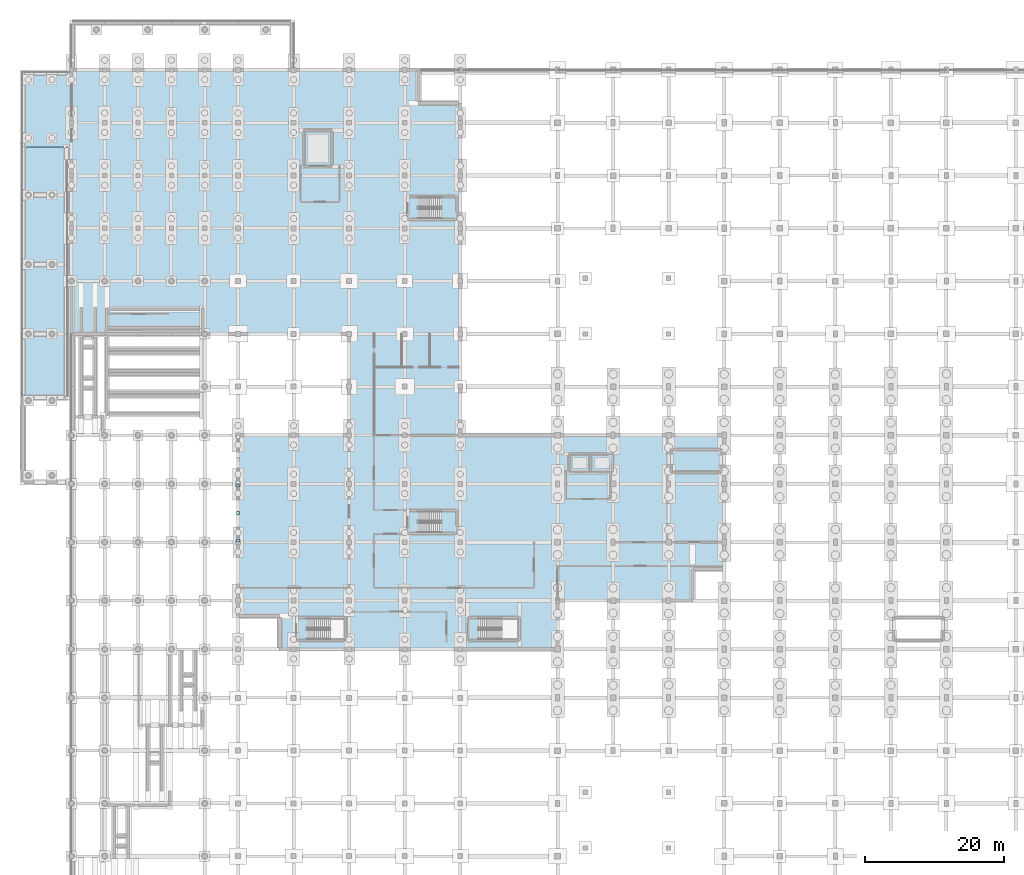
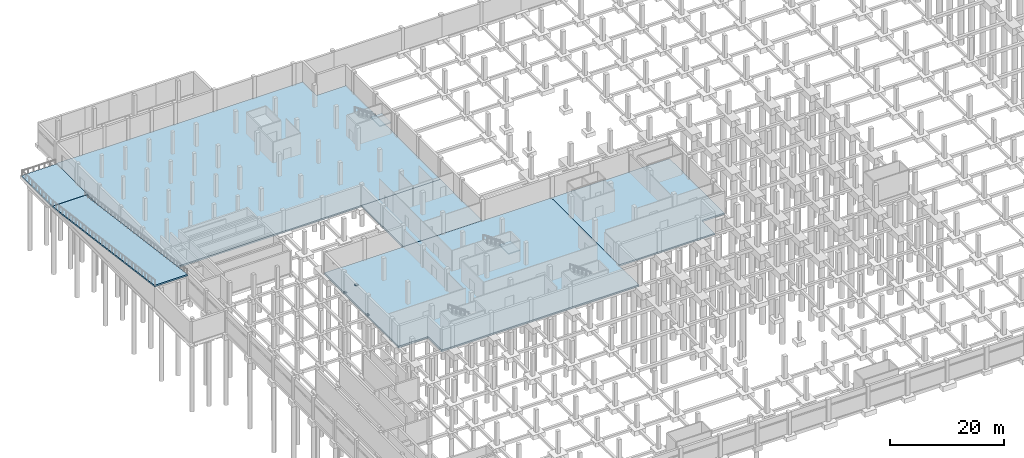
# One storey, part 31 of 50: 8 slabs, 3 plates, 2 elements without a shape of their own.
"""IFC4 building model written with IfcOpenShell, lengths in metres."""

from ifc_helpers import new_model, si_unit, direction, frame, origin, origin_2d, place, context, subcontext, project, spatial, polyline, rectangle, outline, extrude, material, layer, layer_set, type_object, element, aggregate, save


model = new_model("IFC4")

# Units and contexts
model_context = context("Model", 3, precision=1e-05, world=origin(), true_north=direction((0.0, 1.0)))
body_context = subcontext(model_context, "Body", "Model", "MODEL_VIEW")
ifc_project = project(units=[si_unit("LENGTHUNIT", "METRE"), si_unit("AREAUNIT", "SQUARE_METRE"), si_unit("VOLUMEUNIT", "CUBIC_METRE"), si_unit("PLANEANGLEUNIT", "RADIAN"), si_unit("MASSUNIT", "GRAM", prefix="KILO")], contexts=[model_context])

# Site, building, storey
site_placement = place(None, origin())
site = spatial("IfcSite", under=ifc_project, at=site_placement, CompositionType="ELEMENT")
building_placement = place(site_placement, origin())
building = spatial("IfcBuilding", under=site, at=building_placement, Name="Vekula Escarpment Museum", CompositionType="ELEMENT")
storey_placement = place(building_placement, frame((0.0, 0.0, -4.800048828125)))
storey = spatial("IfcBuildingStorey", under=building, at=storey_placement, Name="B1", CompositionType="ELEMENT", Elevation=-4.800048828125)

# Plates
ifc_material_1 = material(Name="Steel S355", Category="steel")
ifc_layer_1 = layer(ifc_material_1, 0.02392578125)
ifc_layer_set_1 = layer_set([ifc_layer_1], Name="Steel S355")
plate_type_1 = type_object("IfcPlateType", Name="PL-CAP-24", PredefinedType="SHEET", material=ifc_layer_set_1)
for number, where, z_axis, x_axis, name in (
    (1, (24.0, 68.242431640625, 0.16845703125), (0.0, 0.0, 1.0), (1.0, 0.0, 0.0), "Hollow section end cap CP-24"),
    (2, (24.0, 76.15771484375, 0.16845703125), (0.0, 0.0, 1.0), (1.0, 0.0, 0.0), "Hollow section end cap CP-24"),
):
    element("IfcPlate", number, at=place(storey_placement, frame(where, z_axis=z_axis, x_axis=x_axis)), inside=storey, type_object=plate_type_1, Name=name, PredefinedType="SHEET", context=body_context, shape_type="SweptSolid", body=[
        extrude(rectangle(XDim=0.3798828125, YDim=0.3798828125, at=origin_2d()), origin(), (0.0, 0.0, 1.0), 0.1279296875),
    ])
ifc_material_2 = material(Name="Steel S355", Category="steel")
ifc_layer_2 = layer(ifc_material_2, 0.0400390625)
ifc_layer_set_2 = layer_set([ifc_layer_2], Name="Steel S355")
plate_type_2 = type_object("IfcPlateType", Name="PL-CAP-40", PredefinedType="SHEET", material=ifc_layer_set_2)
plate_placement = place(storey_placement, frame((24.0, 72.199951171875, 4.197998046875), z_axis=(0.0, 0.0, 1.0), x_axis=(1.0, 0.0, 0.0)))
element("IfcPlate", 3, at=plate_placement, inside=storey, type_object=plate_type_2, Name="Hollow section end cap GP-40", PredefinedType="SHEET", context=body_context, shape_type="SweptSolid", body=[
    extrude(rectangle(XDim=0.4599609375, YDim=0.4599609375, at=origin_2d()), origin(), (0.0, 0.0, 1.0), 0.0400390625),
])

# Slabs
ifc_material_3 = material(Name="Concrete C35/45", Category="concrete")
ifc_layer_3 = layer(ifc_material_3, 0.35009765625)
ifc_layer_set_3 = layer_set([ifc_layer_3], Name="Concrete C35/45")
slab_type_1 = type_object("IfcSlabType", Name="SL-BASE-350", PredefinedType="BASESLAB", material=ifc_layer_set_3)
slab_1_placement = place(storey_placement, frame((0.0, 0.0, -0.349853515625)))
element("IfcSlab", 4, at=slab_1_placement, inside=storey, type_object=slab_type_1, Name="Floor Slab W-B1-V5-CAR", PredefinedType="BASESLAB", context=body_context, shape_type="SweptSolid", body=[
    extrude(outline(polyline([(0.0, 98.0), (56.0, 98.0), (56.0, 131.199951171875), (50.0, 131.199951171875), (50.0, 136.0), (0.0, 136.0), (0.0, 98.0)])), origin(), (0.0, 0.0, 1.0), 0.349853515625),
])
slab_2_placement = place(storey_placement, frame((0.0, 0.0, -0.349853515625)))
element("IfcSlab", 5, at=slab_2_placement, inside=storey, type_object=slab_type_1, Name="Floor Slab W-B1-V5-LNK", PredefinedType="BASESLAB", context=body_context, shape_type="SweptSolid", body=[
    extrude(outline(polyline([(40.0, 83.39990234375), (56.0, 83.39990234375), (56.0, 98.0), (40.0, 98.0), (40.0, 83.39990234375)])), origin(), (0.0, 0.0, 1.0), 0.349853515625),
])
slab_3_placement = place(storey_placement, frame((0.0, 0.0, -0.349853515625)))
element("IfcSlab", 6, at=slab_3_placement, inside=storey, type_object=slab_type_1, Name="Floor Slab W-B1-V1-PLT", PredefinedType="BASESLAB", context=body_context, shape_type="SweptSolid", body=[
    extrude(outline(polyline([(70.0, 59.60009765625), (89.43994140625, 59.60009765625), (89.43994140625, 64.1220703125), (94.0, 64.1220703125), (94.0, 83.39990234375), (70.0, 83.39990234375), (70.0, 59.60009765625)])), origin(), (0.0, 0.0, 1.0), 0.349853515625),
])
ifc_material_4 = material(Name="Concrete C35/45", Category="concrete")
ifc_layer_4 = layer(ifc_material_4, 0.39990234375)
ifc_layer_set_4 = layer_set([ifc_layer_4], Name="Concrete C35/45")
slab_type_2 = type_object("IfcSlabType", Name="SL-BASE-400", PredefinedType="BASESLAB", material=ifc_layer_set_4)
slab_4_placement = place(storey_placement, frame((0.0, 0.0, -0.39990234375)))
element("IfcSlab", 7, at=slab_4_placement, inside=storey, type_object=slab_type_2, Name="Floor Slab W-B1-V2-ARC", PredefinedType="BASESLAB", context=body_context, shape_type="SweptSolid", body=[
    extrude(outline(polyline([(30.0, 52.60009765625), (70.0, 52.60009765625), (70.0, 83.39990234375), (24.0, 83.39990234375), (24.0, 57.39990234375), (30.0, 57.39990234375), (30.0, 52.60009765625)])), origin(), (0.0, 0.0, 1.0), 0.39990234375),
])

# Stair, slab
ifc_material_5 = material(Name="Concrete C35/45", Category="concrete")
stair_type = type_object("IfcStairType", Name="STR-TYPE-142", PredefinedType="HALF_TURN_STAIR", material=ifc_material_5)
stair_1_placement = place(storey_placement, origin())
stair_1 = element("IfcStair", 8, at=stair_1_placement, inside=storey, type_object=stair_type, Name="B1 Archive and Lab Exit Stair ST-03", PredefinedType="HALF_TURN_STAIR")
ifc_material_6 = material(Name="Concrete C35/45", Category="concrete")
ifc_layer_5 = layer(ifc_material_6, 0.199951171875)
ifc_layer_set_5 = layer_set([ifc_layer_5], Name="Concrete C35/45")
slab_type_3 = type_object("IfcSlabType", Name="SL-LAND-200", PredefinedType="LANDING", material=ifc_layer_set_5)
slab_5_placement = place(storey_placement, frame((0.0, 0.0, 2.199951171875)))
slab_5 = element("IfcSlab", 9, at=slab_5_placement, type_object=slab_type_3, Name="ST-03 landing 1", PredefinedType="LANDING", context=body_context, shape_type="SweptSolid", body=[
    extrude(outline(polyline([(53.18994140625, 114.510009765625), (55.489990234375, 114.510009765625), (55.489990234375, 117.72998046875), (53.18994140625, 117.72998046875), (53.18994140625, 114.510009765625)])), origin(), (0.0, 0.0, 1.0), 0.2001953125),
])
aggregate(stair_1, [slab_5])

stair_2_placement = place(storey_placement, origin())
stair_2 = element("IfcStair", 10, at=stair_2_placement, inside=storey, type_object=stair_type, Name="B1 Plinth Mid Exit Stair ST-10", PredefinedType="HALF_TURN_STAIR")
slab_6_placement = place(storey_placement, frame((0.0, 0.0, 2.199951171875)))
slab_6 = element("IfcSlab", 11, at=slab_6_placement, type_object=slab_type_3, Name="ST-10 landing 1", PredefinedType="LANDING", context=body_context, shape_type="SweptSolid", body=[
    extrude(outline(polyline([(53.18994140625, 69.31005859375), (55.489990234375, 69.31005859375), (55.489990234375, 72.530029296875), (53.18994140625, 72.530029296875), (53.18994140625, 69.31005859375)])), origin(), (0.0, 0.0, 1.0), 0.2001953125),
])
aggregate(stair_2, [slab_6])

# Slabs
ifc_material_7 = material(Name="Concrete C35/45", Category="concrete")
ifc_layer_6 = layer(ifc_material_7, 0.300048828125)
ifc_layer_set_6 = layer_set([ifc_layer_6], Name="Concrete C35/45")
slab_type_4 = type_object("IfcSlabType", Name="SL-RAMP-300", PredefinedType="FLOOR", material=ifc_layer_set_6)
slab_7_placement = place(storey_placement, frame((0.0, 0.0, -0.300048828125)))
element("IfcSlab", 12, at=slab_7_placement, inside=storey, type_object=slab_type_4, Name="Exterior Vehicle Apron T-B1-DRIVE", PredefinedType="BASESLAB", context=body_context, shape_type="SweptSolid", body=[
    extrude(outline(polyline([(-7.199951171875, 125.0), (0.0, 125.0), (0.0, 135.800048828125), (-7.199951171875, 135.800048828125), (-7.199951171875, 125.0)])), origin(), (0.0, 0.0, 1.0), 0.300048828125),
])
slab_8_placement = place(storey_placement, frame((-7.199951171875, 89.06005859375, 4.800048828125), z_axis=(0.0, 0.132599730877, 0.991169668307), x_axis=(1.0, 0.0, 0.0)))
element("IfcSlab", 13, at=slab_8_placement, inside=storey, type_object=slab_type_4, Name="Basement Car Park Vehicle Ramp SL-RMP", PredefinedType="FLOOR", context=body_context, shape_type="SweptSolid", body=[
    extrude(outline(polyline([(0.0, 0.0), (6.739990234375, 0.0), (6.739990234375, 36.19953672895714), (0.0, 36.19953672895714), (0.0, 0.0)])), origin(), (0.0, 0.0, -1.0), 0.300048828125),
])

save(model, "model.ifc")
